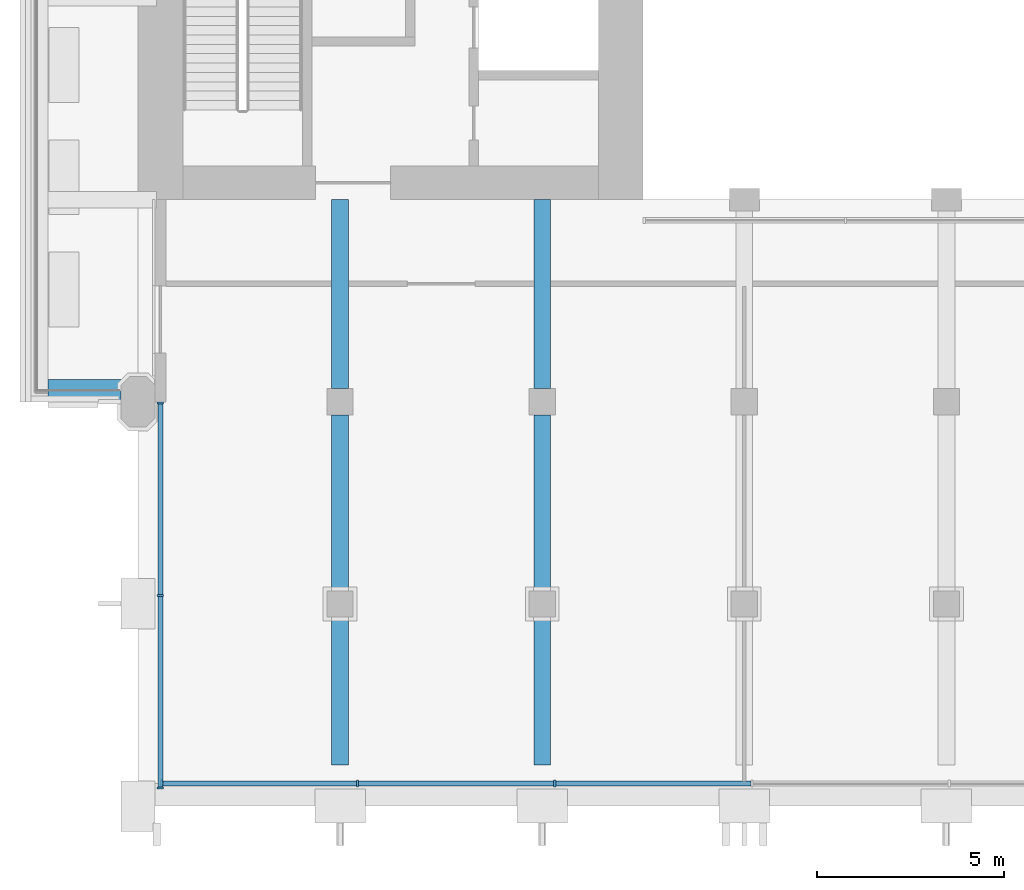
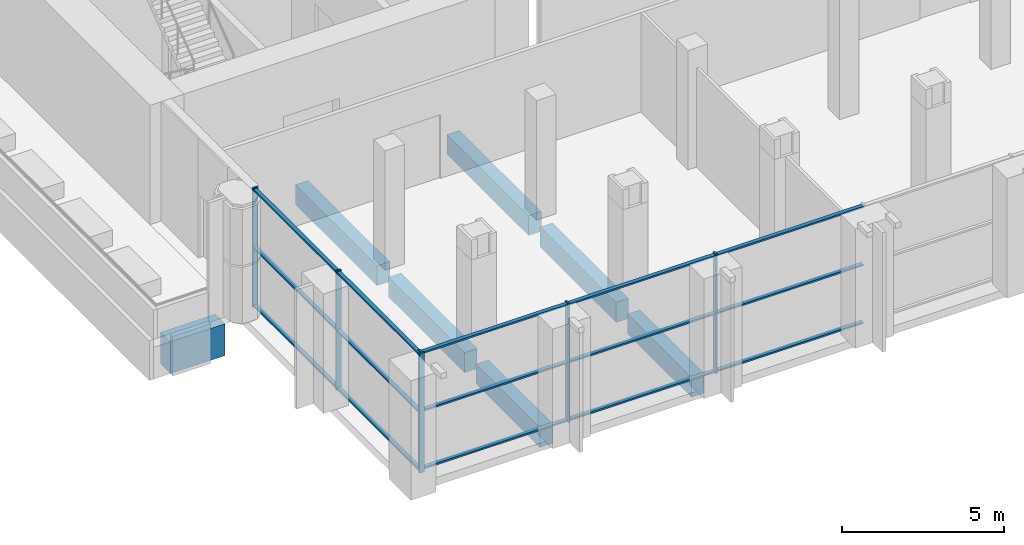
# One storey, part 2 of 14: 21 members, 7 beams, 2 elements without a shape of their own.
"""IFC4 building model written with IfcOpenShell, lengths in metres."""

from ifc_helpers import new_model, si_unit, direction, frame, origin, origin_2d, place, context, subcontext, project, spatial, rectangle, extrude, material, material_profile, profile_set, type_object, element, aggregate, save


model = new_model("IFC4")

# Units and contexts
model_context = context("Model", 3, precision=1e-05, world=origin(), true_north=direction((0.0, 1.0)))
body_context = subcontext(model_context, "Body", "Model", "MODEL_VIEW")
ifc_project = project(units=[si_unit("LENGTHUNIT", "METRE"), si_unit("AREAUNIT", "SQUARE_METRE"), si_unit("VOLUMEUNIT", "CUBIC_METRE"), si_unit("PLANEANGLEUNIT", "RADIAN"), si_unit("MASSUNIT", "GRAM", prefix="KILO")], contexts=[model_context])

# Site, building, storey
site_placement = place(None, origin())
site = spatial("IfcSite", under=ifc_project, at=site_placement, CompositionType="ELEMENT")
building_placement = place(site_placement, origin())
building = spatial("IfcBuilding", under=site, at=building_placement, Name="Tabaq Tower and Sports Hall", CompositionType="ELEMENT")
storey_placement = place(building_placement, frame((0.0, 0.0, 260.5)))
storey = spatial("IfcBuildingStorey", under=building, at=storey_placement, Name="L63", CompositionType="ELEMENT", Elevation=260.5)

# Curtain wall, members
ifc_material_1 = material(Name="Aluminium alloy 6063-T6 framed glazing", Category="aluminium")
curtain_wall_type = type_object("IfcCurtainWallType", Name="CW3 curtain wall", PredefinedType="USERDEFINED", material=ifc_material_1)
curtain_wall_1_placement = place(storey_placement, origin())
curtain_wall_1 = element("IfcCurtainWall", 1, at=curtain_wall_1_placement, inside=storey, type_object=curtain_wall_type, Name="Garden Floor Wall L63 S", ObjectType="GARDEN FLOOR WALL", PredefinedType="USERDEFINED")
ifc_material_2 = material(Name="Aluminium alloy 6063-T6", Category="aluminium")
ifc_material_profile_1 = material_profile(ifc_material_2, rectangle(XDim=0.179931640625, YDim=0.06005859375, at=origin_2d()), Name="MULLION 180x60")
ifc_profile_set_1 = profile_set([ifc_material_profile_1], Name="Aluminium alloy 6063-T6")
member_type_1 = type_object("IfcMemberType", Name="CW3 mullion 180x60", PredefinedType="MULLION", material=ifc_profile_set_1)
member_1_placement = place(storey_placement, frame((6.030029296875, 0.60009765625, 0.0), z_axis=(0.0, 0.0, 1.0), x_axis=(0.0, 1.0, 0.0)))
member_1 = element("IfcMember", 2, at=member_1_placement, type_object=member_type_1, Name="CW3 mullion 1", PredefinedType="MULLION", context=body_context, shape_type="SweptSolid", body=[
    extrude(rectangle(XDim=0.179931640625, YDim=0.06005859375, at=origin_2d()), origin(), (0.0, 0.0, 1.0), 4.5),
])
member_2_placement = place(storey_placement, frame((11.26904296875, 0.60009765625, 0.0), z_axis=(0.0, 0.0, 1.0), x_axis=(0.0, 1.0, 0.0)))
member_2 = element("IfcMember", 3, at=member_2_placement, type_object=member_type_1, Name="CW3 mullion 2", PredefinedType="MULLION", context=body_context, shape_type="SweptSolid", body=[
    extrude(rectangle(XDim=0.179931640625, YDim=0.06005859375, at=origin_2d()), origin(), (0.0, 0.0, 1.0), 4.5),
])
member_3_placement = place(storey_placement, frame((16.537841796875, 0.60009765625, 0.0), z_axis=(0.0, 0.0, 1.0), x_axis=(0.0, 1.0, 0.0)))
member_3 = element("IfcMember", 4, at=member_3_placement, type_object=member_type_1, Name="CW3 mullion 3", PredefinedType="MULLION", context=body_context, shape_type="SweptSolid", body=[
    extrude(rectangle(XDim=0.179931640625, YDim=0.06005859375, at=origin_2d()), origin(), (0.0, 0.0, 1.0), 4.5),
])

curtain_wall_2_placement = place(storey_placement, origin())
curtain_wall_2 = element("IfcCurtainWall", 5, at=curtain_wall_2_placement, inside=storey, type_object=curtain_wall_type, Name="Garden Floor Wall L63 W", ObjectType="GARDEN FLOOR WALL", PredefinedType="USERDEFINED")
member_4_placement = place(storey_placement, frame((6.0, 10.77001953125, 0.0), z_axis=(0.0, 0.0, 1.0), x_axis=(1.0, 0.0, 0.0)))
member_4 = element("IfcMember", 6, at=member_4_placement, type_object=member_type_1, Name="CW3 mullion 1", PredefinedType="MULLION", context=body_context, shape_type="SweptSolid", body=[
    extrude(rectangle(XDim=0.179931640625, YDim=0.06005859375, at=origin_2d()), origin(), (0.0, 0.0, 1.0), 4.5),
])
member_5_placement = place(storey_placement, frame((6.0, 5.625, 0.0), z_axis=(0.0, 0.0, 1.0), x_axis=(1.0, 0.0, 0.0)))
member_5 = element("IfcMember", 7, at=member_5_placement, type_object=member_type_1, Name="CW3 mullion 2", PredefinedType="MULLION", context=body_context, shape_type="SweptSolid", body=[
    extrude(rectangle(XDim=0.179931640625, YDim=0.06005859375, at=origin_2d()), origin(), (0.0, 0.0, 1.0), 4.5),
])
member_6_placement = place(storey_placement, frame((6.0, 0.47998046875, 0.0), z_axis=(0.0, 0.0, 1.0), x_axis=(1.0, 0.0, 0.0)))
member_6 = element("IfcMember", 8, at=member_6_placement, type_object=member_type_1, Name="CW3 mullion 3", PredefinedType="MULLION", context=body_context, shape_type="SweptSolid", body=[
    extrude(rectangle(XDim=0.179931640625, YDim=0.06005859375, at=origin_2d()), origin(), (0.0, 0.0, 1.0), 4.5),
])

# Member
ifc_material_3 = material(Name="Aluminium alloy 6063-T6", Category="aluminium")
ifc_material_profile_2 = material_profile(ifc_material_3, rectangle(XDim=0.139892578125, YDim=0.06005859375, at=origin_2d()), Name="TRANSOM 140x60")
ifc_profile_set_2 = profile_set([ifc_material_profile_2], Name="Aluminium alloy 6063-T6")
member_type_2 = type_object("IfcMemberType", Name="CW3 transom 140x60", PredefinedType="USERDEFINED", material=ifc_profile_set_2)
member_7_placement = place(storey_placement, frame((6.06005859375, 0.60009765625, 0.070068359375), z_axis=(1.0, 0.0, 0.0), x_axis=(0.0, 1.0, 0.0)))
member_7 = element("IfcMember", 9, at=member_7_placement, type_object=member_type_2, Name="CW3 transom 1.1", ObjectType="TRANSOM", PredefinedType="USERDEFINED", context=body_context, shape_type="SweptSolid", body=[
    extrude(rectangle(XDim=0.139892578125, YDim=0.06005859375, at=origin_2d()), origin(), (0.0, 0.0, 1.0), 5.178955078125),
])

member_8_placement = place(storey_placement, frame((6.06005859375, 0.60009765625, 2.25), z_axis=(1.0, 0.0, 0.0), x_axis=(0.0, 1.0, 0.0)))
member_8 = element("IfcMember", 10, at=member_8_placement, type_object=member_type_2, Name="CW3 transom 1.2", ObjectType="TRANSOM", PredefinedType="USERDEFINED", context=body_context, shape_type="SweptSolid", body=[
    extrude(rectangle(XDim=0.139892578125, YDim=0.06005859375, at=origin_2d()), origin(), (0.0, 0.0, 1.0), 5.178955078125),
])

member_9_placement = place(storey_placement, frame((6.06005859375, 0.60009765625, 4.429931640625), z_axis=(1.0, 0.0, 0.0), x_axis=(0.0, 1.0, 0.0)))
member_9 = element("IfcMember", 11, at=member_9_placement, type_object=member_type_2, Name="CW3 transom 1.3", ObjectType="TRANSOM", PredefinedType="USERDEFINED", context=body_context, shape_type="SweptSolid", body=[
    extrude(rectangle(XDim=0.139892578125, YDim=0.06005859375, at=origin_2d()), origin(), (0.0, 0.0, 1.0), 5.178955078125),
])

member_10_placement = place(storey_placement, frame((11.298828125, 0.60009765625, 0.070068359375), z_axis=(1.0, 0.0, 0.0), x_axis=(0.0, 1.0, 0.0)))
member_10 = element("IfcMember", 12, at=member_10_placement, type_object=member_type_2, Name="CW3 transom 2.1", ObjectType="TRANSOM", PredefinedType="USERDEFINED", context=body_context, shape_type="SweptSolid", body=[
    extrude(rectangle(XDim=0.139892578125, YDim=0.06005859375, at=origin_2d()), origin(), (0.0, 0.0, 1.0), 5.208984375),
])

member_11_placement = place(storey_placement, frame((11.298828125, 0.60009765625, 2.25), z_axis=(1.0, 0.0, 0.0), x_axis=(0.0, 1.0, 0.0)))
member_11 = element("IfcMember", 13, at=member_11_placement, type_object=member_type_2, Name="CW3 transom 2.2", ObjectType="TRANSOM", PredefinedType="USERDEFINED", context=body_context, shape_type="SweptSolid", body=[
    extrude(rectangle(XDim=0.139892578125, YDim=0.06005859375, at=origin_2d()), origin(), (0.0, 0.0, 1.0), 5.208984375),
])

member_12_placement = place(storey_placement, frame((11.298828125, 0.60009765625, 4.429931640625), z_axis=(1.0, 0.0, 0.0), x_axis=(0.0, 1.0, 0.0)))
member_12 = element("IfcMember", 14, at=member_12_placement, type_object=member_type_2, Name="CW3 transom 2.3", ObjectType="TRANSOM", PredefinedType="USERDEFINED", context=body_context, shape_type="SweptSolid", body=[
    extrude(rectangle(XDim=0.139892578125, YDim=0.06005859375, at=origin_2d()), origin(), (0.0, 0.0, 1.0), 5.208984375),
])

member_13_placement = place(storey_placement, frame((16.56787109375, 0.60009765625, 0.070068359375), z_axis=(1.0, 0.0, 0.0), x_axis=(0.0, 1.0, 0.0)))
member_13 = element("IfcMember", 15, at=member_13_placement, type_object=member_type_2, Name="CW3 transom 3.1", ObjectType="TRANSOM", PredefinedType="USERDEFINED", context=body_context, shape_type="SweptSolid", body=[
    extrude(rectangle(XDim=0.139892578125, YDim=0.06005859375, at=origin_2d()), origin(), (0.0, 0.0, 1.0), 5.208984375),
])

member_14_placement = place(storey_placement, frame((16.56787109375, 0.60009765625, 2.25), z_axis=(1.0, 0.0, 0.0), x_axis=(0.0, 1.0, 0.0)))
member_14 = element("IfcMember", 16, at=member_14_placement, type_object=member_type_2, Name="CW3 transom 3.2", ObjectType="TRANSOM", PredefinedType="USERDEFINED", context=body_context, shape_type="SweptSolid", body=[
    extrude(rectangle(XDim=0.139892578125, YDim=0.06005859375, at=origin_2d()), origin(), (0.0, 0.0, 1.0), 5.208984375),
])

member_15_placement = place(storey_placement, frame((16.56787109375, 0.60009765625, 4.429931640625), z_axis=(1.0, 0.0, 0.0), x_axis=(0.0, 1.0, 0.0)))
member_15 = element("IfcMember", 17, at=member_15_placement, type_object=member_type_2, Name="CW3 transom 3.3", ObjectType="TRANSOM", PredefinedType="USERDEFINED", context=body_context, shape_type="SweptSolid", body=[
    extrude(rectangle(XDim=0.139892578125, YDim=0.06005859375, at=origin_2d()), origin(), (0.0, 0.0, 1.0), 5.208984375),
])

aggregate(curtain_wall_1, [member_1, member_2, member_3, member_7, member_8, member_9, member_10, member_11, member_12, member_13, member_14, member_15])

member_16_placement = place(storey_placement, frame((6.0, 10.739990234375, 0.070068359375), z_axis=(0.0, -1.0, 0.0), x_axis=(1.0, 0.0, 0.0)))
member_16 = element("IfcMember", 18, at=member_16_placement, type_object=member_type_2, Name="CW3 transom 1.1", ObjectType="TRANSOM", PredefinedType="USERDEFINED", context=body_context, shape_type="SweptSolid", body=[
    extrude(rectangle(XDim=0.139892578125, YDim=0.06005859375, at=origin_2d()), origin(), (0.0, 0.0, 1.0), 5.0849609375),
])

member_17_placement = place(storey_placement, frame((6.0, 10.739990234375, 2.25), z_axis=(0.0, -1.0, 0.0), x_axis=(1.0, 0.0, 0.0)))
member_17 = element("IfcMember", 19, at=member_17_placement, type_object=member_type_2, Name="CW3 transom 1.2", ObjectType="TRANSOM", PredefinedType="USERDEFINED", context=body_context, shape_type="SweptSolid", body=[
    extrude(rectangle(XDim=0.139892578125, YDim=0.06005859375, at=origin_2d()), origin(), (0.0, 0.0, 1.0), 5.0849609375),
])

member_18_placement = place(storey_placement, frame((6.0, 10.739990234375, 4.429931640625), z_axis=(0.0, -1.0, 0.0), x_axis=(1.0, 0.0, 0.0)))
member_18 = element("IfcMember", 20, at=member_18_placement, type_object=member_type_2, Name="CW3 transom 1.3", ObjectType="TRANSOM", PredefinedType="USERDEFINED", context=body_context, shape_type="SweptSolid", body=[
    extrude(rectangle(XDim=0.139892578125, YDim=0.06005859375, at=origin_2d()), origin(), (0.0, 0.0, 1.0), 5.0849609375),
])

member_19_placement = place(storey_placement, frame((6.0, 5.594970703125, 0.070068359375), z_axis=(0.0, -1.0, 0.0), x_axis=(1.0, 0.0, 0.0)))
member_19 = element("IfcMember", 21, at=member_19_placement, type_object=member_type_2, Name="CW3 transom 2.1", ObjectType="TRANSOM", PredefinedType="USERDEFINED", context=body_context, shape_type="SweptSolid", body=[
    extrude(rectangle(XDim=0.139892578125, YDim=0.06005859375, at=origin_2d()), origin(), (0.0, 0.0, 1.0), 5.0849609375),
])

member_20_placement = place(storey_placement, frame((6.0, 5.594970703125, 2.25), z_axis=(0.0, -1.0, 0.0), x_axis=(1.0, 0.0, 0.0)))
member_20 = element("IfcMember", 22, at=member_20_placement, type_object=member_type_2, Name="CW3 transom 2.2", ObjectType="TRANSOM", PredefinedType="USERDEFINED", context=body_context, shape_type="SweptSolid", body=[
    extrude(rectangle(XDim=0.139892578125, YDim=0.06005859375, at=origin_2d()), origin(), (0.0, 0.0, 1.0), 5.0849609375),
])

member_21_placement = place(storey_placement, frame((6.0, 5.594970703125, 4.429931640625), z_axis=(0.0, -1.0, 0.0), x_axis=(1.0, 0.0, 0.0)))
member_21 = element("IfcMember", 23, at=member_21_placement, type_object=member_type_2, Name="CW3 transom 2.3", ObjectType="TRANSOM", PredefinedType="USERDEFINED", context=body_context, shape_type="SweptSolid", body=[
    extrude(rectangle(XDim=0.139892578125, YDim=0.06005859375, at=origin_2d()), origin(), (0.0, 0.0, 1.0), 5.0849609375),
])

aggregate(curtain_wall_2, [member_4, member_5, member_6, member_16, member_17, member_18, member_19, member_20, member_21])

# Beams
ifc_material_4 = material(Name="Concrete C40/50", Category="concrete")
ifc_material_profile_3 = material_profile(ifc_material_4, rectangle(XDim=0.60009765625, YDim=1.199951171875, at=origin_2d()), Name="EBT 600x1200")
ifc_profile_set_3 = profile_set([ifc_material_profile_3], Name="Concrete C40/50")
beam_type_1 = type_object("IfcBeamType", Name="Concrete C40/50 PT edge band EBT 600x1200", PredefinedType="BEAM", material=ifc_profile_set_3)
beam_1_placement = place(storey_placement, frame((4.949951171875, 11.10009765625, -0.89990234375), z_axis=(-1.0, 0.0, 0.0), x_axis=(0.0, -1.0, 0.0)))
element("IfcBeam", 24, at=beam_1_placement, inside=storey, type_object=beam_type_1, Name="Tray edge band L63", PredefinedType="BEAM", context=body_context, shape_type="SweptSolid", body=[
    extrude(rectangle(XDim=0.60009765625, YDim=1.199951171875, at=origin_2d()), origin(), (0.0, 0.0, 1.0), 1.949951171875),
])
ifc_material_5 = material(Name="Concrete C40/50", Category="concrete")
ifc_material_profile_4 = material_profile(ifc_material_5, rectangle(XDim=0.449951171875, YDim=0.75, at=origin_2d()), Name="CB 450x750")
ifc_profile_set_4 = profile_set([ifc_material_profile_4], Name="Concrete C40/50")
beam_type_2 = type_object("IfcBeamType", Name="PT CANTILEVER BEAM CB 450x750 C40/50", PredefinedType="BEAM", material=ifc_profile_set_4)
beam_2_placement = place(storey_placement, frame((10.800048828125, 1.10009765625, -0.675048828125), z_axis=(0.0, 1.0, 0.0), x_axis=(-1.0, 0.0, 0.0)))
element("IfcBeam", 25, at=beam_2_placement, inside=storey, type_object=beam_type_2, Name="Cantilever Beam L63 S2 span 1", PredefinedType="BEAM", context=body_context, shape_type="SweptSolid", body=[
    extrude(rectangle(XDim=0.449951171875, YDim=0.75, at=origin_2d()), origin(), (0.0, 0.0, 1.0), 3.949951171875),
])
beam_3_placement = place(storey_placement, frame((10.800048828125, 5.75, -0.675048828125), z_axis=(0.0, 1.0, 0.0), x_axis=(-1.0, 0.0, 0.0)))
element("IfcBeam", 26, at=beam_3_placement, inside=storey, type_object=beam_type_2, Name="Cantilever Beam L63 S2 span 2", PredefinedType="BEAM", context=body_context, shape_type="SweptSolid", body=[
    extrude(rectangle(XDim=0.449951171875, YDim=0.75, at=origin_2d()), origin(), (0.0, 0.0, 1.0), 4.699951171875),
])
beam_4_placement = place(storey_placement, frame((10.800048828125, 11.14990234375, -0.675048828125), z_axis=(0.0, 1.0, 0.0), x_axis=(-1.0, 0.0, 0.0)))
element("IfcBeam", 27, at=beam_4_placement, inside=storey, type_object=beam_type_2, Name="Cantilever Beam L63 S2 span 3", PredefinedType="BEAM", context=body_context, shape_type="SweptSolid", body=[
    extrude(rectangle(XDim=0.449951171875, YDim=0.75, at=origin_2d()), origin(), (0.0, 0.0, 1.0), 5.050048828125),
])
beam_5_placement = place(storey_placement, frame((16.199951171875, 1.10009765625, -0.675048828125), z_axis=(0.0, 1.0, 0.0), x_axis=(-1.0, 0.0, 0.0)))
element("IfcBeam", 28, at=beam_5_placement, inside=storey, type_object=beam_type_2, Name="Cantilever Beam L63 S3 span 1", PredefinedType="BEAM", context=body_context, shape_type="SweptSolid", body=[
    extrude(rectangle(XDim=0.449951171875, YDim=0.75, at=origin_2d()), origin(), (0.0, 0.0, 1.0), 3.949951171875),
])
beam_6_placement = place(storey_placement, frame((16.199951171875, 5.75, -0.675048828125), z_axis=(0.0, 1.0, 0.0), x_axis=(-1.0, 0.0, 0.0)))
element("IfcBeam", 29, at=beam_6_placement, inside=storey, type_object=beam_type_2, Name="Cantilever Beam L63 S3 span 2", PredefinedType="BEAM", context=body_context, shape_type="SweptSolid", body=[
    extrude(rectangle(XDim=0.449951171875, YDim=0.75, at=origin_2d()), origin(), (0.0, 0.0, 1.0), 4.699951171875),
])
beam_7_placement = place(storey_placement, frame((16.199951171875, 11.14990234375, -0.675048828125), z_axis=(0.0, 1.0, 0.0), x_axis=(-1.0, 0.0, 0.0)))
element("IfcBeam", 30, at=beam_7_placement, inside=storey, type_object=beam_type_2, Name="Cantilever Beam L63 S3 span 3", PredefinedType="BEAM", context=body_context, shape_type="SweptSolid", body=[
    extrude(rectangle(XDim=0.449951171875, YDim=0.75, at=origin_2d()), origin(), (0.0, 0.0, 1.0), 5.050048828125),
])

save(model, "model.ifc")
